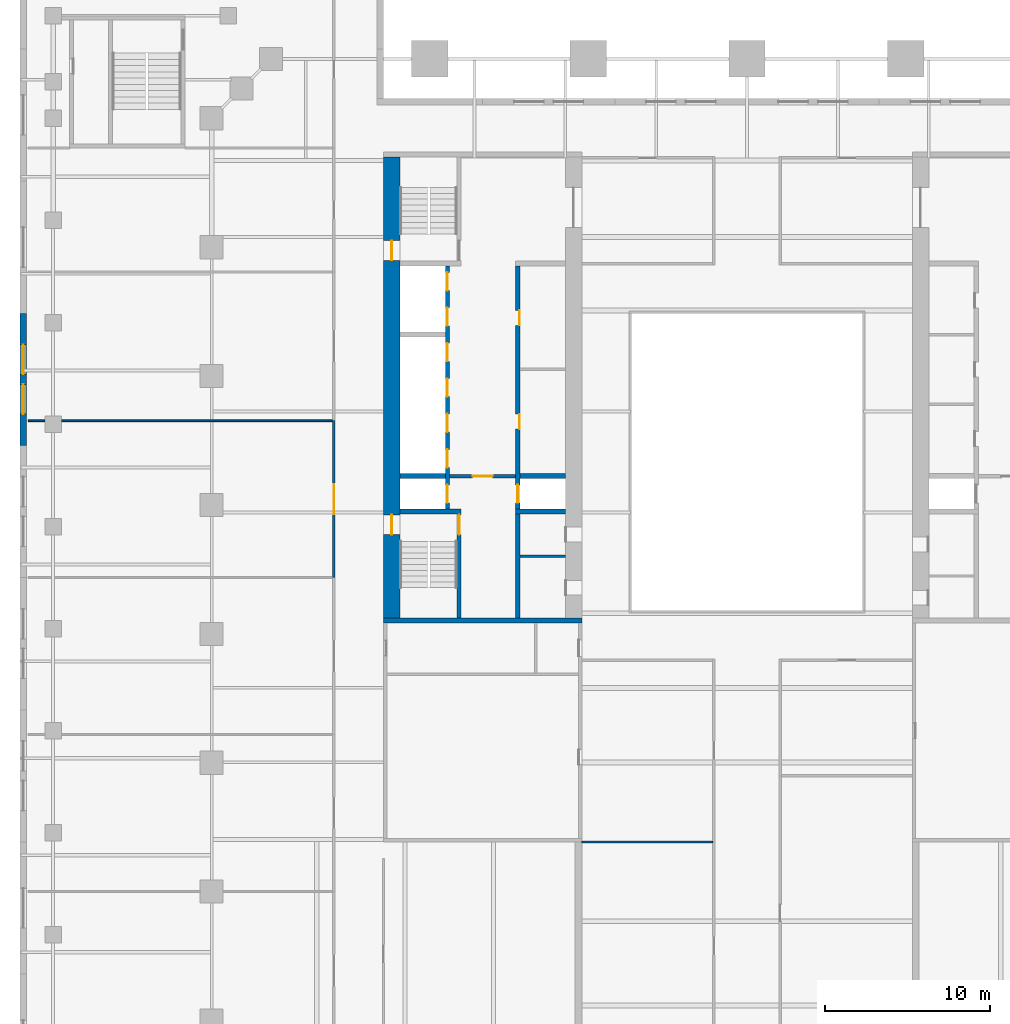
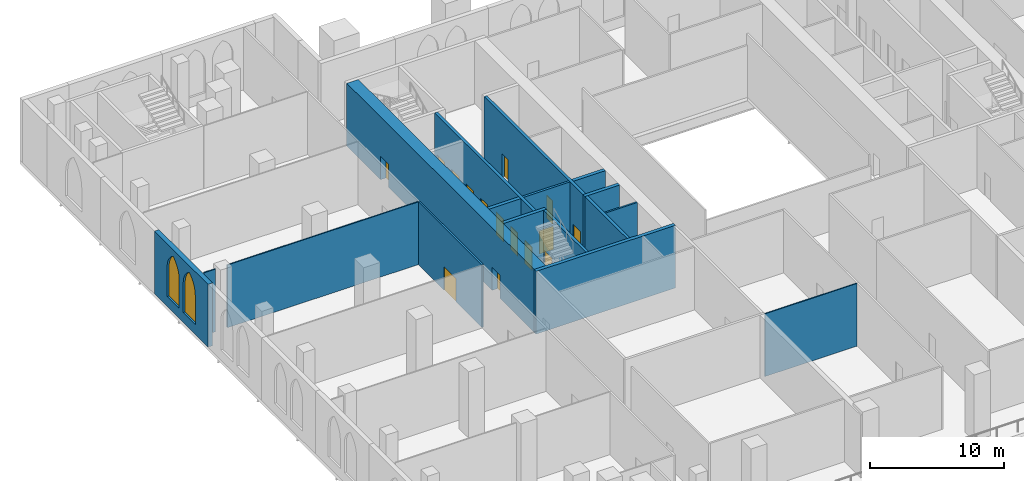
# One storey, part 10 of 21: 16 walls, 15 doors, 2 windows, 17 openings.
"""IFC4 building model written with IfcOpenShell, lengths in metres."""

from ifc_helpers import new_model, si_unit, direction, frame, frame_2d, origin, place, context, subcontext, project, spatial, polyline, rectangle, outline, extrude, material, layer, layer_set, type_object, element, fill, save


model = new_model("IFC4")

# Units and contexts
model_context = context("Model", 3, precision=1e-05, world=origin(), true_north=direction((0.0, 1.0)))
body_context = subcontext(model_context, "Body", "Model", "MODEL_VIEW")
ifc_project = project(units=[si_unit("LENGTHUNIT", "METRE"), si_unit("AREAUNIT", "SQUARE_METRE"), si_unit("VOLUMEUNIT", "CUBIC_METRE"), si_unit("PLANEANGLEUNIT", "RADIAN"), si_unit("MASSUNIT", "GRAM", prefix="KILO")], contexts=[model_context])

# Site, building, storey
site_placement = place(None, origin())
site = spatial("IfcSite", under=ifc_project, at=site_placement, CompositionType="ELEMENT")
building_placement = place(site_placement, origin())
building = spatial("IfcBuilding", under=site, at=building_placement, Name="Ogive Exchange Tower", CompositionType="ELEMENT")
storey_placement = place(building_placement, frame((0.0, 0.0, 8.0)))
storey = spatial("IfcBuildingStorey", under=building, at=storey_placement, Name="L01", CompositionType="ELEMENT", Elevation=8.0)

# Wall
ifc_material_1 = material(Name="Gypsum board partition")
ifc_layer_1 = layer(ifc_material_1, 0.14990234375)
ifc_layer_set_1 = layer_set([ifc_layer_1], Name="Core room partition 150 gypsum")
wall_type_1 = type_object("IfcWallType", Name="Core room partition 150 gypsum", PredefinedType="PARTITIONING", material=ifc_layer_set_1)
wall_1_placement = place(storey_placement, frame((-13.75, 1.300048828125, 0.0), z_axis=(0.0, 0.0, 1.0), x_axis=(1.0, 0.0, 0.0)))
element("IfcWall", 1, at=wall_1_placement, inside=storey, type_object=wall_type_1, Name="W south room partition", PredefinedType="PARTITIONING", context=body_context, shape_type="SweptSolid", body=[
    extrude(rectangle(XDim=2.75, YDim=0.14990234375, at=frame_2d((1.375, 0.0))), origin(), (0.0, 0.0, 1.0), 5.699951171875),
])

# Wall, opening, door
ifc_material_2 = material(Name="Fire partition EI 60 150")
ifc_layer_2 = layer(ifc_material_2, 0.14990234375)
ifc_layer_set_2 = layer_set([ifc_layer_2], Name="Fire partition EI 60 150")
wall_type_2 = type_object("IfcWallType", Name="Fire partition EI 60 150", PredefinedType="PARTITIONING", material=ifc_layer_set_2)
wall_2_placement = place(storey_placement, frame((-25.0, 0.0, 0.0), z_axis=(0.0, 0.0, 1.0), x_axis=(0.0, 1.0, 0.0)))
wall_2 = element("IfcWall", 2, at=wall_2_placement, inside=storey, type_object=wall_type_2, Name="L01-PWL-048", PredefinedType="PARTITIONING", context=body_context, shape_type="SweptSolid", body=[
    extrude(rectangle(XDim=9.5, YDim=0.14990234375, at=frame_2d((4.75, 0.0))), origin(), (0.0, 0.0, 1.0), 5.699951171875),
])
opening_1_placement = place(wall_2_placement, frame((3.85009765625, 0.0, 0.0)))
opening_1 = element("IfcOpeningElement", 3, at=opening_1_placement, cuts=wall_2, Name="Opening L01-I06", PredefinedType="OPENING", context=body_context, shape_type="SweptSolid", body=[
    extrude(rectangle(XDim=1.800048828125, YDim=2.10009765625, at=frame_2d((0.89990234375, 1.050048828125))), frame((0.0, 0.0849609375, 0.0), z_axis=(0.0, -1.0, 0.0), x_axis=(1.0, 0.0, 0.0)), (0.0, 0.0, 1.0), 0.169921875),
])
ifc_material_3 = material(Name="Fire door FD 30S 1800 x 2100")
door_type_1 = type_object("IfcDoorType", Name="Fire door FD 30S 1800 x 2100", OperationType="DOUBLE_DOOR_SINGLE_SWING", PredefinedType="DOOR", material=ifc_material_3)
door_1_placement = place(opening_1_placement, origin())
door_1 = element("IfcDoor", 4, at=door_1_placement, inside=storey, type_object=door_type_1, Name="L01-IDR-006", ObjectType="DT4", OperationType="SINGLE_SWING_RIGHT", OverallHeight=2.10009765625, OverallWidth=1.800048828125, PredefinedType="DOOR", context=body_context, shape_type="SweptSolid", body=[
    extrude(rectangle(XDim=1.800048828125, YDim=2.10009765625, at=frame_2d((0.89990234375, 1.050048828125))), frame((0.0, 0.02490234375, 0.0), z_axis=(0.0, -1.0, 0.0), x_axis=(1.0, 0.0, 0.0)), (0.0, 0.0, 1.0), 0.050048828125),
])
fill(opening_1, door_1)

# Wall, openings, windows
ifc_material_4 = material(Name="Precast concrete C40/50", Category="concrete")
ifc_layer_3 = layer(ifc_material_4, 0.39990234375)
ifc_layer_set_3 = layer_set([ifc_layer_3], Name="Limestone-faced wall 400")
wall_type_3 = type_object("IfcWallType", Name="Limestone-faced wall 400", PredefinedType="STANDARD", material=ifc_layer_set_3)
wall_3_placement = place(storey_placement, frame((-43.800048828125, 16.0, 0.0), z_axis=(0.0, 0.0, 1.0), x_axis=(0.0, -1.0, 0.0)))
wall_3 = element("IfcWall", 5, at=wall_3_placement, inside=storey, type_object=wall_type_3, Name="Podium wall W4", PredefinedType="STANDARD", context=body_context, shape_type="SweptSolid", body=[
    extrude(rectangle(XDim=8.0, YDim=0.39990234375, at=frame_2d((4.0, 0.0))), origin(), (0.0, 0.0, 1.0), 5.699951171875),
])
opening_2_placement = place(wall_3_placement, frame((1.89990234375, 0.0, 0.89990234375)))
opening_2 = element("IfcOpeningElement", 6, at=opening_2_placement, cuts=wall_3, Name="Opening WQ420", PredefinedType="OPENING", context=body_context, shape_type="SweptSolid", body=[
    extrude(outline(polyline([(0.0, 0.0), (1.800048828125, 0.0), (1.800048828125, 2.64111328125), (1.78466796875, 2.8759765625), (1.73876953125, 3.10693359375), (1.6630859375, 3.329833984375), (1.558837890625, 3.541015625), (1.427978515625, 3.73681640625), (1.272705078125, 3.913818359375), (1.095703125, 4.069091796875), (0.89990234375, 4.199951171875), (0.704345703125, 4.069091796875), (0.52734375, 3.913818359375), (0.3720703125, 3.73681640625), (0.2412109375, 3.541015625), (0.136962890625, 3.329833984375), (0.061279296875, 3.10693359375), (0.015380859375, 2.8759765625), (0.0, 2.64111328125), (0.0, 0.0)])), frame((0.0, 0.2099609375, 0.0), z_axis=(0.0, -1.0, 0.0), x_axis=(1.0, 0.0, 0.0)), (0.0, 0.0, 1.0), 0.419921875),
])
opening_3_placement = place(wall_3_placement, frame((4.300048828125, 0.0, 0.89990234375)))
opening_3 = element("IfcOpeningElement", 7, at=opening_3_placement, cuts=wall_3, Name="Opening WQ420", PredefinedType="OPENING", context=body_context, shape_type="SweptSolid", body=[
    extrude(outline(polyline([(0.0, 0.0), (1.800048828125, 0.0), (1.800048828125, 2.64111328125), (1.78466796875, 2.8759765625), (1.73876953125, 3.10693359375), (1.6630859375, 3.329833984375), (1.558837890625, 3.541015625), (1.427978515625, 3.73681640625), (1.272705078125, 3.913818359375), (1.095703125, 4.069091796875), (0.89990234375, 4.199951171875), (0.704345703125, 4.069091796875), (0.52734375, 3.913818359375), (0.3720703125, 3.73681640625), (0.2412109375, 3.541015625), (0.136962890625, 3.329833984375), (0.061279296875, 3.10693359375), (0.015380859375, 2.8759765625), (0.0, 2.64111328125), (0.0, 0.0)])), frame((0.0, 0.2099609375, 0.0), z_axis=(0.0, -1.0, 0.0), x_axis=(1.0, 0.0, 0.0)), (0.0, 0.0, 1.0), 0.419921875),
])
ifc_material_5 = material(Name="Clear glass in bronze frame", Category="glass")
window_type = type_object("IfcWindowType", Name="Podium paired lancet 1800 x 4200", PartitioningType="DOUBLE_PANEL_VERTICAL", PredefinedType="WINDOW", material=ifc_material_5)
window_1_placement = place(opening_2_placement, origin())
window_1 = element("IfcWindow", 8, at=window_1_placement, inside=storey, type_object=window_type, Name="Podium paired lancet W4.1", OverallHeight=4.199951171875, OverallWidth=1.800048828125, PartitioningType="DOUBLE_PANEL_VERTICAL", PredefinedType="WINDOW", context=body_context, shape_type="SweptSolid", body=[
    extrude(outline(polyline([(0.0, 0.0), (1.800048828125, 0.0), (1.800048828125, 2.64111328125), (1.78466796875, 2.8759765625), (1.73876953125, 3.10693359375), (1.6630859375, 3.329833984375), (1.558837890625, 3.541015625), (1.427978515625, 3.73681640625), (1.272705078125, 3.913818359375), (1.095703125, 4.069091796875), (0.89990234375, 4.199951171875), (0.704345703125, 4.069091796875), (0.52734375, 3.913818359375), (0.3720703125, 3.73681640625), (0.2412109375, 3.541015625), (0.136962890625, 3.329833984375), (0.061279296875, 3.10693359375), (0.015380859375, 2.8759765625), (0.0, 2.64111328125), (0.0, 0.0)])), frame((0.0, 0.030029296875, 0.0), z_axis=(0.0, -1.0, 0.0), x_axis=(1.0, 0.0, 0.0)), (0.0, 0.0, 1.0), 0.06005859375),
])
fill(opening_2, window_1)
window_2_placement = place(opening_3_placement, origin())
window_2 = element("IfcWindow", 9, at=window_2_placement, inside=storey, type_object=window_type, Name="Podium paired lancet W4.2", OverallHeight=4.199951171875, OverallWidth=1.800048828125, PartitioningType="DOUBLE_PANEL_VERTICAL", PredefinedType="WINDOW", context=body_context, shape_type="SweptSolid", body=[
    extrude(outline(polyline([(0.0, 0.0), (1.800048828125, 0.0), (1.800048828125, 2.64111328125), (1.78466796875, 2.8759765625), (1.73876953125, 3.10693359375), (1.6630859375, 3.329833984375), (1.558837890625, 3.541015625), (1.427978515625, 3.73681640625), (1.272705078125, 3.913818359375), (1.095703125, 4.069091796875), (0.89990234375, 4.199951171875), (0.704345703125, 4.069091796875), (0.52734375, 3.913818359375), (0.3720703125, 3.73681640625), (0.2412109375, 3.541015625), (0.136962890625, 3.329833984375), (0.061279296875, 3.10693359375), (0.015380859375, 2.8759765625), (0.0, 2.64111328125), (0.0, 0.0)])), frame((0.0, 0.030029296875, 0.0), z_axis=(0.0, -1.0, 0.0), x_axis=(1.0, 0.0, 0.0)), (0.0, 0.0, 1.0), 0.06005859375),
])
fill(opening_3, window_2)

# Walls
ifc_material_6 = material(Name="Partition 100 gypsum")
ifc_layer_4 = layer(ifc_material_6, 0.10009765625)
ifc_layer_set_4 = layer_set([ifc_layer_4], Name="Partition 100 gypsum")
wall_type_4 = type_object("IfcWallType", Name="Partition 100 gypsum", PredefinedType="PARTITIONING", material=ifc_layer_set_4)
wall_4_placement = place(storey_placement, frame((-10.0, -16.0, 0.0), z_axis=(0.0, 0.0, 1.0), x_axis=(1.0, 0.0, 0.0)))
element("IfcWall", 10, at=wall_4_placement, inside=storey, type_object=wall_type_4, Name="L01-PWL-018", PredefinedType="PARTITIONING", context=body_context, shape_type="SweptSolid", body=[
    extrude(rectangle(XDim=7.925048828125, YDim=0.10009765625, at=frame_2d((3.96240234375, 0.0))), origin(), (0.0, 0.0, 1.0), 5.699951171875),
])
wall_5_placement = place(storey_placement, frame((-43.5, 9.5, 0.0), z_axis=(0.0, 0.0, 1.0), x_axis=(1.0, 0.0, 0.0)))
element("IfcWall", 11, at=wall_5_placement, inside=storey, type_object=wall_type_4, Name="L01-PWL-028", PredefinedType="PARTITIONING", context=body_context, shape_type="SweptSolid", body=[
    extrude(rectangle(XDim=1.0, YDim=0.10009765625, at=frame_2d((0.5, 0.0))), origin(), (0.0, 0.0, 1.0), 5.699951171875),
])
wall_6_placement = place(storey_placement, frame((-41.5, 9.5, 0.0), z_axis=(0.0, 0.0, 1.0), x_axis=(1.0, 0.0, 0.0)))
element("IfcWall", 12, at=wall_6_placement, inside=storey, type_object=wall_type_4, Name="L01-PWL-029", PredefinedType="PARTITIONING", context=body_context, shape_type="SweptSolid", body=[
    extrude(rectangle(XDim=16.425048828125, YDim=0.10009765625, at=frame_2d((8.21240234375, 0.0))), origin(), (0.0, 0.0, 1.0), 5.699951171875),
])

# Wall, openings, doors
ifc_material_7 = material(Name="Concrete C70/85", Category="concrete")
ifc_layer_5 = layer(ifc_material_7, 1.0)
ifc_layer_set_5 = layer_set([ifc_layer_5], Name="RC core wall 1000 C70/85")
wall_type_5 = type_object("IfcWallType", Name="RC core wall 1000 C70/85", PredefinedType="SHEAR", material=ifc_layer_set_5)
wall_7_placement = place(storey_placement, frame((-21.5, -2.449951171875, 0.0), z_axis=(0.0, 0.0, 1.0), x_axis=(0.0, 1.0, 0.0)))
wall_7 = element("IfcWall", 13, at=wall_7_placement, inside=storey, type_object=wall_type_5, Name="W outer wall", PredefinedType="SHEAR", context=body_context, shape_type="SweptSolid", body=[
    extrude(rectangle(XDim=27.89990234375, YDim=1.0, at=frame_2d((13.949951171875, 0.0))), origin(), (0.0, 0.0, 1.0), 5.699951171875),
])
opening_4_placement = place(wall_7_placement, frame((5.050048828125, 0.0, 0.0)))
opening_4 = element("IfcOpeningElement", 14, at=opening_4_placement, cuts=wall_7, Name="Opening L01-C14", PredefinedType="OPENING", context=body_context, shape_type="SweptSolid", body=[
    extrude(rectangle(XDim=1.199951171875, YDim=2.10009765625, at=frame_2d((0.60009765625, 1.050048828125))), frame((0.0, 0.510009765625, 0.0), z_axis=(0.0, -1.0, 0.0), x_axis=(1.0, 0.0, 0.0)), (0.0, 0.0, 1.0), 1.02001953125),
])
opening_5_placement = place(wall_7_placement, frame((21.64990234375, 0.0, 0.0)))
opening_5 = element("IfcOpeningElement", 15, at=opening_5_placement, cuts=wall_7, Name="Opening L01-C16", PredefinedType="OPENING", context=body_context, shape_type="SweptSolid", body=[
    extrude(rectangle(XDim=1.199951171875, YDim=2.10009765625, at=frame_2d((0.60009765625, 1.050048828125))), frame((0.0, 0.510009765625, 0.0), z_axis=(0.0, -1.0, 0.0), x_axis=(1.0, 0.0, 0.0)), (0.0, 0.0, 1.0), 1.02001953125),
])
ifc_material_8 = material(Name="Steel fire door", Category="steel")
door_type_2 = type_object("IfcDoorType", Name="Stair door FD90 1200 x 2100", OperationType="NOTDEFINED", PredefinedType="DOOR", material=ifc_material_8)
door_2_placement = place(opening_4_placement, frame((1.199951171875, 0.0, 0.0), z_axis=(0.0, 0.0, 1.0), x_axis=(-1.0, 0.0, 0.0)))
door_2 = element("IfcDoor", 16, at=door_2_placement, inside=storey, type_object=door_type_2, Name="Stair door", ObjectType="CD5", OperationType="SINGLE_SWING_RIGHT", OverallHeight=2.10009765625, OverallWidth=1.199951171875, PredefinedType="DOOR", context=body_context, shape_type="SweptSolid", body=[
    extrude(rectangle(XDim=1.199951171875, YDim=2.10009765625, at=frame_2d((0.60009765625, 1.050048828125))), frame((0.0, 0.02490234375, 0.0), z_axis=(0.0, -1.0, 0.0), x_axis=(1.0, 0.0, 0.0)), (0.0, 0.0, 1.0), 0.050048828125),
])
fill(opening_4, door_2)
door_3_placement = place(opening_5_placement, frame((1.199951171875, 0.0, 0.0), z_axis=(0.0, 0.0, 1.0), x_axis=(-1.0, 0.0, 0.0)))
door_3 = element("IfcDoor", 17, at=door_3_placement, inside=storey, type_object=door_type_2, Name="Stair door", ObjectType="CD5", OperationType="SINGLE_SWING_LEFT", OverallHeight=2.10009765625, OverallWidth=1.199951171875, PredefinedType="DOOR", context=body_context, shape_type="SweptSolid", body=[
    extrude(rectangle(XDim=1.199951171875, YDim=2.10009765625, at=frame_2d((0.60009765625, 1.050048828125))), frame((0.0, 0.02490234375, 0.0), z_axis=(0.0, -1.0, 0.0), x_axis=(1.0, 0.0, 0.0)), (0.0, 0.0, 1.0), 0.050048828125),
])
fill(opening_5, door_3)

# Wall, opening, door
ifc_layer_6 = layer(ifc_material_7, 0.199951171875)
ifc_layer_set_6 = layer_set([ifc_layer_6], Name="RC core wall 200 C70/85")
wall_type_6 = type_object("IfcWallType", Name="RC core wall 200 C70/85", PredefinedType="SHEAR", material=ifc_layer_set_6)
wall_8_placement = place(storey_placement, frame((-18.0, 6.142822265625, 0.0), z_axis=(0.0, 0.0, 1.0), x_axis=(1.0, 0.0, 0.0)))
wall_8 = element("IfcWall", 18, at=wall_8_placement, inside=storey, type_object=wall_type_6, Name="W firefighting lobby wall", PredefinedType="SHEAR", context=body_context, shape_type="SweptSolid", body=[
    extrude(rectangle(XDim=4.0, YDim=0.199951171875, at=frame_2d((2.0, 0.0))), origin(), (0.0, 0.0, 1.0), 5.699951171875),
])
opening_6_placement = place(wall_8_placement, frame((1.39990234375, 0.0, 0.0)))
opening_6 = element("IfcOpeningElement", 19, at=opening_6_placement, cuts=wall_8, Name="Opening L01-C11", PredefinedType="OPENING", context=body_context, shape_type="SweptSolid", body=[
    extrude(rectangle(XDim=1.199951171875, YDim=2.10009765625, at=frame_2d((0.60009765625, 1.050048828125))), frame((0.0, 0.10986328125, 0.0), z_axis=(0.0, -1.0, 0.0), x_axis=(1.0, 0.0, 0.0)), (0.0, 0.0, 1.0), 0.219970703125),
])
door_type_3 = type_object("IfcDoorType", Name="Firefighting lobby door FD60 1200 x 2100", OperationType="NOTDEFINED", PredefinedType="DOOR", material=ifc_material_8)
door_4_placement = place(opening_6_placement, frame((1.199951171875, 0.0, 0.0), z_axis=(0.0, 0.0, 1.0), x_axis=(-1.0, 0.0, 0.0)))
door_4 = element("IfcDoor", 20, at=door_4_placement, inside=storey, type_object=door_type_3, Name="Firefighting lobby door", ObjectType="CD3", OperationType="SINGLE_SWING_LEFT", OverallHeight=2.10009765625, OverallWidth=1.199951171875, PredefinedType="DOOR", context=body_context, shape_type="SweptSolid", body=[
    extrude(rectangle(XDim=1.199951171875, YDim=2.10009765625, at=frame_2d((0.60009765625, 1.050048828125))), frame((0.0, 0.02490234375, 0.0), z_axis=(0.0, -1.0, 0.0), x_axis=(1.0, 0.0, 0.0)), (0.0, 0.0, 1.0), 0.050048828125),
])
fill(opening_6, door_4)

ifc_layer_7 = layer(ifc_material_7, 0.25)
ifc_layer_set_7 = layer_set([ifc_layer_7], Name="RC core wall 250 C70/85")
wall_type_7 = type_object("IfcWallType", Name="RC core wall 250 C70/85", PredefinedType="SHEAR", material=ifc_layer_set_7)
wall_9_placement = place(storey_placement, frame((-17.425048828125, -2.449951171875, 0.0), z_axis=(0.0, 0.0, 1.0), x_axis=(0.0, 1.0, 0.0)))
wall_9 = element("IfcWall", 21, at=wall_9_placement, inside=storey, type_object=wall_type_7, Name="W stair S front wall", PredefinedType="SHEAR", context=body_context, shape_type="SweptSolid", body=[
    extrude(rectangle(XDim=6.300048828125, YDim=0.25, at=frame_2d((3.14990234375, 0.0))), origin(), (0.0, 0.0, 1.0), 5.699951171875),
])
opening_7_placement = place(wall_9_placement, frame((5.050048828125, 0.0, 0.0)))
opening_7 = element("IfcOpeningElement", 22, at=opening_7_placement, cuts=wall_9, Name="Opening L01-C13", PredefinedType="OPENING", context=body_context, shape_type="SweptSolid", body=[
    extrude(rectangle(XDim=1.199951171875, YDim=2.10009765625, at=frame_2d((0.60009765625, 1.050048828125))), frame((0.0, 0.135009765625, 0.0), z_axis=(0.0, -1.0, 0.0), x_axis=(1.0, 0.0, 0.0)), (0.0, 0.0, 1.0), 0.27001953125),
])
door_5_placement = place(opening_7_placement, origin())
door_5 = element("IfcDoor", 23, at=door_5_placement, inside=storey, type_object=door_type_2, Name="Stair door", ObjectType="CD5", OperationType="SINGLE_SWING_LEFT", OverallHeight=2.10009765625, OverallWidth=1.199951171875, PredefinedType="DOOR", context=body_context, shape_type="SweptSolid", body=[
    extrude(rectangle(XDim=1.199951171875, YDim=2.10009765625, at=frame_2d((0.60009765625, 1.050048828125))), frame((0.0, 0.02490234375, 0.0), z_axis=(0.0, -1.0, 0.0), x_axis=(1.0, 0.0, 0.0)), (0.0, 0.0, 1.0), 0.050048828125),
])
fill(opening_7, door_5)

# Wall, openings, doors
wall_10_placement = place(storey_placement, frame((-18.125, 4.14990234375, 0.0), z_axis=(0.0, 0.0, 1.0), x_axis=(0.0, 1.0, 0.0)))
wall_10 = element("IfcWall", 24, at=wall_10_placement, inside=storey, type_object=wall_type_7, Name="W row A front wall", PredefinedType="SHEAR", context=body_context, shape_type="SweptSolid", body=[
    extrude(rectangle(XDim=14.7001953125, YDim=0.25, at=frame_2d((7.35009765625, 0.0))), origin(), (0.0, 0.0, 1.0), 5.699951171875),
])
opening_8_placement = place(wall_10_placement, frame((0.371337890625, 0.0, 0.0)))
opening_8 = element("IfcOpeningElement", 25, at=opening_8_placement, cuts=wall_10, Name="Opening L01-C01", PredefinedType="OPENING", context=body_context, shape_type="SweptSolid", body=[
    extrude(rectangle(XDim=1.10009765625, YDim=2.10009765625, at=frame_2d((0.550048828125, 1.050048828125))), frame((0.0, 0.135009765625, 0.0), z_axis=(0.0, -1.0, 0.0), x_axis=(1.0, 0.0, 0.0)), (0.0, 0.0, 1.0), 0.27001953125),
])
opening_9_placement = place(wall_10_placement, frame((2.514404296875, 0.0, 0.0)))
opening_9 = element("IfcOpeningElement", 26, at=opening_9_placement, cuts=wall_10, Name="Opening L01-C02", PredefinedType="OPENING", context=body_context, shape_type="SweptSolid", body=[
    extrude(rectangle(XDim=1.10009765625, YDim=2.10009765625, at=frame_2d((0.550048828125, 1.050048828125))), frame((0.0, 0.135009765625, 0.0), z_axis=(0.0, -1.0, 0.0), x_axis=(1.0, 0.0, 0.0)), (0.0, 0.0, 1.0), 0.27001953125),
])
opening_10_placement = place(wall_10_placement, frame((4.656982421875, 0.0, 0.0)))
opening_10 = element("IfcOpeningElement", 27, at=opening_10_placement, cuts=wall_10, Name="Opening L01-C03", PredefinedType="OPENING", context=body_context, shape_type="SweptSolid", body=[
    extrude(rectangle(XDim=1.10009765625, YDim=2.10009765625, at=frame_2d((0.550048828125, 1.050048828125))), frame((0.0, 0.135009765625, 0.0), z_axis=(0.0, -1.0, 0.0), x_axis=(1.0, 0.0, 0.0)), (0.0, 0.0, 1.0), 0.27001953125),
])
opening_11_placement = place(wall_10_placement, frame((6.800048828125, 0.0, 0.0)))
opening_11 = element("IfcOpeningElement", 28, at=opening_11_placement, cuts=wall_10, Name="Opening L01-C04", PredefinedType="OPENING", context=body_context, shape_type="SweptSolid", body=[
    extrude(rectangle(XDim=1.10009765625, YDim=2.10009765625, at=frame_2d((0.550048828125, 1.050048828125))), frame((0.0, 0.135009765625, 0.0), z_axis=(0.0, -1.0, 0.0), x_axis=(1.0, 0.0, 0.0)), (0.0, 0.0, 1.0), 0.27001953125),
])
opening_12_placement = place(wall_10_placement, frame((8.94287109375, 0.0, 0.0)))
opening_12 = element("IfcOpeningElement", 29, at=opening_12_placement, cuts=wall_10, Name="Opening L01-C05", PredefinedType="OPENING", context=body_context, shape_type="SweptSolid", body=[
    extrude(rectangle(XDim=1.10009765625, YDim=2.10009765625, at=frame_2d((0.550048828125, 1.050048828125))), frame((0.0, 0.135009765625, 0.0), z_axis=(0.0, -1.0, 0.0), x_axis=(1.0, 0.0, 0.0)), (0.0, 0.0, 1.0), 0.27001953125),
])
opening_13_placement = place(wall_10_placement, frame((11.085693359375, 0.0, 0.0)))
opening_13 = element("IfcOpeningElement", 30, at=opening_13_placement, cuts=wall_10, Name="Opening L01-C06", PredefinedType="OPENING", context=body_context, shape_type="SweptSolid", body=[
    extrude(rectangle(XDim=1.10009765625, YDim=2.10009765625, at=frame_2d((0.550048828125, 1.050048828125))), frame((0.0, 0.135009765625, 0.0), z_axis=(0.0, -1.0, 0.0), x_axis=(1.0, 0.0, 0.0)), (0.0, 0.0, 1.0), 0.27001953125),
])
opening_14_placement = place(wall_10_placement, frame((13.228515625, 0.0, 0.0)))
opening_14 = element("IfcOpeningElement", 31, at=opening_14_placement, cuts=wall_10, Name="Opening L01-C07", PredefinedType="OPENING", context=body_context, shape_type="SweptSolid", body=[
    extrude(rectangle(XDim=1.10009765625, YDim=2.10009765625, at=frame_2d((0.550048828125, 1.050048828125))), frame((0.0, 0.135009765625, 0.0), z_axis=(0.0, -1.0, 0.0), x_axis=(1.0, 0.0, 0.0)), (0.0, 0.0, 1.0), 0.27001953125),
])
ifc_material_9 = material(Name="Stainless steel", Category="steel")
door_type_4 = type_object("IfcDoorType", Name="Lift landing door FD90 1100 x 2100", OperationType="SLIDING_TO_LEFT", PredefinedType="DOOR", material=ifc_material_9)
door_6_placement = place(opening_8_placement, origin())
door_6 = element("IfcDoor", 32, at=door_6_placement, inside=storey, type_object=door_type_4, Name="Lift landing door FF1", ObjectType="LD", OperationType="SLIDING_TO_LEFT", OverallHeight=2.10009765625, OverallWidth=1.10009765625, PredefinedType="DOOR", context=body_context, shape_type="SweptSolid", body=[
    extrude(rectangle(XDim=1.10009765625, YDim=2.10009765625, at=frame_2d((0.550048828125, 1.050048828125))), frame((0.0, 0.02490234375, 0.0), z_axis=(0.0, -1.0, 0.0), x_axis=(1.0, 0.0, 0.0)), (0.0, 0.0, 1.0), 0.050048828125),
])
fill(opening_8, door_6)
door_7_placement = place(opening_9_placement, origin())
door_7 = element("IfcDoor", 33, at=door_7_placement, inside=storey, type_object=door_type_4, Name="Lift landing door W-L1", ObjectType="LD", OperationType="SLIDING_TO_LEFT", OverallHeight=2.10009765625, OverallWidth=1.10009765625, PredefinedType="DOOR", context=body_context, shape_type="SweptSolid", body=[
    extrude(rectangle(XDim=1.10009765625, YDim=2.10009765625, at=frame_2d((0.550048828125, 1.050048828125))), frame((0.0, 0.02490234375, 0.0), z_axis=(0.0, -1.0, 0.0), x_axis=(1.0, 0.0, 0.0)), (0.0, 0.0, 1.0), 0.050048828125),
])
fill(opening_9, door_7)
door_8_placement = place(opening_10_placement, origin())
door_8 = element("IfcDoor", 34, at=door_8_placement, inside=storey, type_object=door_type_4, Name="Lift landing door W-L2", ObjectType="LD", OperationType="SLIDING_TO_LEFT", OverallHeight=2.10009765625, OverallWidth=1.10009765625, PredefinedType="DOOR", context=body_context, shape_type="SweptSolid", body=[
    extrude(rectangle(XDim=1.10009765625, YDim=2.10009765625, at=frame_2d((0.550048828125, 1.050048828125))), frame((0.0, 0.02490234375, 0.0), z_axis=(0.0, -1.0, 0.0), x_axis=(1.0, 0.0, 0.0)), (0.0, 0.0, 1.0), 0.050048828125),
])
fill(opening_10, door_8)
door_9_placement = place(opening_11_placement, origin())
door_9 = element("IfcDoor", 35, at=door_9_placement, inside=storey, type_object=door_type_4, Name="Lift landing door W-L3", ObjectType="LD", OperationType="SLIDING_TO_LEFT", OverallHeight=2.10009765625, OverallWidth=1.10009765625, PredefinedType="DOOR", context=body_context, shape_type="SweptSolid", body=[
    extrude(rectangle(XDim=1.10009765625, YDim=2.10009765625, at=frame_2d((0.550048828125, 1.050048828125))), frame((0.0, 0.02490234375, 0.0), z_axis=(0.0, -1.0, 0.0), x_axis=(1.0, 0.0, 0.0)), (0.0, 0.0, 1.0), 0.050048828125),
])
fill(opening_11, door_9)
door_10_placement = place(opening_12_placement, origin())
door_10 = element("IfcDoor", 36, at=door_10_placement, inside=storey, type_object=door_type_4, Name="Lift landing door W-L4", ObjectType="LD", OperationType="SLIDING_TO_LEFT", OverallHeight=2.10009765625, OverallWidth=1.10009765625, PredefinedType="DOOR", context=body_context, shape_type="SweptSolid", body=[
    extrude(rectangle(XDim=1.10009765625, YDim=2.10009765625, at=frame_2d((0.550048828125, 1.050048828125))), frame((0.0, 0.02490234375, 0.0), z_axis=(0.0, -1.0, 0.0), x_axis=(1.0, 0.0, 0.0)), (0.0, 0.0, 1.0), 0.050048828125),
])
fill(opening_12, door_10)
door_11_placement = place(opening_13_placement, origin())
door_11 = element("IfcDoor", 37, at=door_11_placement, inside=storey, type_object=door_type_4, Name="Lift landing door W-SH1", ObjectType="LD", OperationType="SLIDING_TO_LEFT", OverallHeight=2.10009765625, OverallWidth=1.10009765625, PredefinedType="DOOR", context=body_context, shape_type="SweptSolid", body=[
    extrude(rectangle(XDim=1.10009765625, YDim=2.10009765625, at=frame_2d((0.550048828125, 1.050048828125))), frame((0.0, 0.02490234375, 0.0), z_axis=(0.0, -1.0, 0.0), x_axis=(1.0, 0.0, 0.0)), (0.0, 0.0, 1.0), 0.050048828125),
])
fill(opening_13, door_11)
door_12_placement = place(opening_14_placement, origin())
door_12 = element("IfcDoor", 38, at=door_12_placement, inside=storey, type_object=door_type_4, Name="Lift landing door W-SH2", ObjectType="LD", OperationType="SLIDING_TO_LEFT", OverallHeight=2.10009765625, OverallWidth=1.10009765625, PredefinedType="DOOR", context=body_context, shape_type="SweptSolid", body=[
    extrude(rectangle(XDim=1.10009765625, YDim=2.10009765625, at=frame_2d((0.550048828125, 1.050048828125))), frame((0.0, 0.02490234375, 0.0), z_axis=(0.0, -1.0, 0.0), x_axis=(1.0, 0.0, 0.0)), (0.0, 0.0, 1.0), 0.050048828125),
])
fill(opening_14, door_12)

wall_11_placement = place(storey_placement, frame((-13.875, -2.449951171875, 0.0), z_axis=(0.0, 0.0, 1.0), x_axis=(0.0, 1.0, 0.0)))
wall_11 = element("IfcWall", 39, at=wall_11_placement, inside=storey, type_object=wall_type_7, Name="W row B front wall", PredefinedType="SHEAR", context=body_context, shape_type="SweptSolid", body=[
    extrude(rectangle(XDim=21.300048828125, YDim=0.25, at=frame_2d((10.64990234375, 0.0))), origin(), (0.0, 0.0, 1.0), 5.699951171875),
])
opening_15_placement = place(wall_11_placement, frame((11.4462890625, 0.0, 0.0)))
opening_15 = element("IfcOpeningElement", 40, at=opening_15_placement, cuts=wall_11, Name="Opening L01-C08", PredefinedType="OPENING", context=body_context, shape_type="SweptSolid", body=[
    extrude(rectangle(XDim=0.89990234375, YDim=2.10009765625, at=frame_2d((0.449951171875, 1.050048828125))), frame((0.0, 0.135009765625, 0.0), z_axis=(0.0, -1.0, 0.0), x_axis=(1.0, 0.0, 0.0)), (0.0, 0.0, 1.0), 0.27001953125),
])
opening_16_placement = place(wall_11_placement, frame((17.72509765625, 0.0, 0.0)))
opening_16 = element("IfcOpeningElement", 41, at=opening_16_placement, cuts=wall_11, Name="Opening L01-C09", PredefinedType="OPENING", context=body_context, shape_type="SweptSolid", body=[
    extrude(rectangle(XDim=0.89990234375, YDim=2.10009765625, at=frame_2d((0.449951171875, 1.050048828125))), frame((0.0, 0.135009765625, 0.0), z_axis=(0.0, -1.0, 0.0), x_axis=(1.0, 0.0, 0.0)), (0.0, 0.0, 1.0), 0.27001953125),
])
opening_17_placement = place(wall_11_placement, frame((6.971435546875, 0.0, 0.0)))
opening_17 = element("IfcOpeningElement", 42, at=opening_17_placement, cuts=wall_11, Name="Opening L01-C10", PredefinedType="OPENING", context=body_context, shape_type="SweptSolid", body=[
    extrude(rectangle(XDim=1.10009765625, YDim=2.10009765625, at=frame_2d((0.550048828125, 1.050048828125))), frame((0.0, 0.135009765625, 0.0), z_axis=(0.0, -1.0, 0.0), x_axis=(1.0, 0.0, 0.0)), (0.0, 0.0, 1.0), 0.27001953125),
])
door_13_placement = place(opening_17_placement, origin())
door_13 = element("IfcDoor", 43, at=door_13_placement, inside=storey, type_object=door_type_4, Name="Lift landing door SV1", ObjectType="LD", OperationType="SLIDING_TO_LEFT", OverallHeight=2.10009765625, OverallWidth=1.10009765625, PredefinedType="DOOR", context=body_context, shape_type="SweptSolid", body=[
    extrude(rectangle(XDim=1.10009765625, YDim=2.10009765625, at=frame_2d((0.550048828125, 1.050048828125))), frame((0.0, 0.02490234375, 0.0), z_axis=(0.0, -1.0, 0.0), x_axis=(1.0, 0.0, 0.0)), (0.0, 0.0, 1.0), 0.050048828125),
])
fill(opening_17, door_13)
door_type_5 = type_object("IfcDoorType", Name="Riser door FD60 900 x 2100", OperationType="NOTDEFINED", PredefinedType="DOOR", material=ifc_material_8)
door_14_placement = place(opening_15_placement, frame((0.89990234375, -0.2001953125, 0.0), z_axis=(0.0, 0.0, 1.0), x_axis=(-1.0, 0.0, 0.0)))
door_14 = element("IfcDoor", 44, at=door_14_placement, inside=storey, type_object=door_type_5, Name="Riser door", ObjectType="CD2", OperationType="SINGLE_SWING_RIGHT", OverallHeight=2.10009765625, OverallWidth=0.89990234375, PredefinedType="DOOR", context=body_context, shape_type="SweptSolid", body=[
    extrude(rectangle(XDim=0.89990234375, YDim=2.10009765625, at=frame_2d((0.449951171875, 1.050048828125))), frame((0.0, -0.0751953125, 0.0), z_axis=(0.0, -1.0, 0.0), x_axis=(1.0, 0.0, 0.0)), (0.0, 0.0, 1.0), 0.050048828125),
])
fill(opening_15, door_14)
door_15_placement = place(opening_16_placement, frame((0.89990234375, -0.2001953125, 0.0), z_axis=(0.0, 0.0, 1.0), x_axis=(-1.0, 0.0, 0.0)))
door_15 = element("IfcDoor", 45, at=door_15_placement, inside=storey, type_object=door_type_5, Name="Riser door", ObjectType="CD2", OperationType="SINGLE_SWING_RIGHT", OverallHeight=2.10009765625, OverallWidth=0.89990234375, PredefinedType="DOOR", context=body_context, shape_type="SweptSolid", body=[
    extrude(rectangle(XDim=0.89990234375, YDim=2.10009765625, at=frame_2d((0.449951171875, 1.050048828125))), frame((0.0, -0.0751953125, 0.0), z_axis=(0.0, -1.0, 0.0), x_axis=(1.0, 0.0, 0.0)), (0.0, 0.0, 1.0), 0.050048828125),
])
fill(opening_16, door_15)

# Walls
ifc_layer_8 = layer(ifc_material_7, 0.300048828125)
ifc_layer_set_8 = layer_set([ifc_layer_8], Name="RC core wall 300 C70/85")
wall_type_8 = type_object("IfcWallType", Name="RC core wall 300 C70/85", PredefinedType="SHEAR", material=ifc_layer_set_8)
wall_12_placement = place(storey_placement, frame((-22.0, -2.60009765625, 0.0), z_axis=(0.0, 0.0, 1.0), x_axis=(1.0, 0.0, 0.0)))
element("IfcWall", 46, at=wall_12_placement, inside=storey, type_object=wall_type_8, Name="W south end wall", PredefinedType="SHEAR", context=body_context, shape_type="SweptSolid", body=[
    extrude(rectangle(XDim=12.0, YDim=0.300048828125, at=frame_2d((6.0, 0.0))), origin(), (0.0, 0.0, 1.0), 5.699951171875),
])
wall_13_placement = place(storey_placement, frame((-21.0, 4.0, 0.0), z_axis=(0.0, 0.0, 1.0), x_axis=(1.0, 0.0, 0.0)))
element("IfcWall", 47, at=wall_13_placement, inside=storey, type_object=wall_type_8, Name="W stair S north wall", PredefinedType="SHEAR", context=body_context, shape_type="SweptSolid", body=[
    extrude(rectangle(XDim=3.699951171875, YDim=0.300048828125, at=frame_2d((1.85009765625, 0.0))), origin(), (0.0, 0.0, 1.0), 5.699951171875),
])
wall_14_placement = place(storey_placement, frame((-21.0, 6.142822265625, 0.0), z_axis=(0.0, 0.0, 1.0), x_axis=(1.0, 0.0, 0.0)))
element("IfcWall", 48, at=wall_14_placement, inside=storey, type_object=wall_type_8, Name="W row A divider 1", PredefinedType="SHEAR", context=body_context, shape_type="SweptSolid", body=[
    extrude(rectangle(XDim=2.75, YDim=0.300048828125, at=frame_2d((1.375, 0.0))), origin(), (0.0, 0.0, 1.0), 5.699951171875),
])
wall_15_placement = place(storey_placement, frame((-14.0, 4.0, 0.0), z_axis=(0.0, 0.0, 1.0), x_axis=(1.0, 0.0, 0.0)))
element("IfcWall", 49, at=wall_15_placement, inside=storey, type_object=wall_type_8, Name="W row B divider 0", PredefinedType="SHEAR", context=body_context, shape_type="SweptSolid", body=[
    extrude(rectangle(XDim=3.0, YDim=0.300048828125, at=frame_2d((1.5, 0.0))), origin(), (0.0, 0.0, 1.0), 5.699951171875),
])
wall_16_placement = place(storey_placement, frame((-13.75, 6.142822265625, 0.0), z_axis=(0.0, 0.0, 1.0), x_axis=(1.0, 0.0, 0.0)))
element("IfcWall", 50, at=wall_16_placement, inside=storey, type_object=wall_type_8, Name="W row B divider 1", PredefinedType="SHEAR", context=body_context, shape_type="SweptSolid", body=[
    extrude(rectangle(XDim=2.75, YDim=0.300048828125, at=frame_2d((1.375, 0.0))), origin(), (0.0, 0.0, 1.0), 5.699951171875),
])

save(model, "model.ifc")
